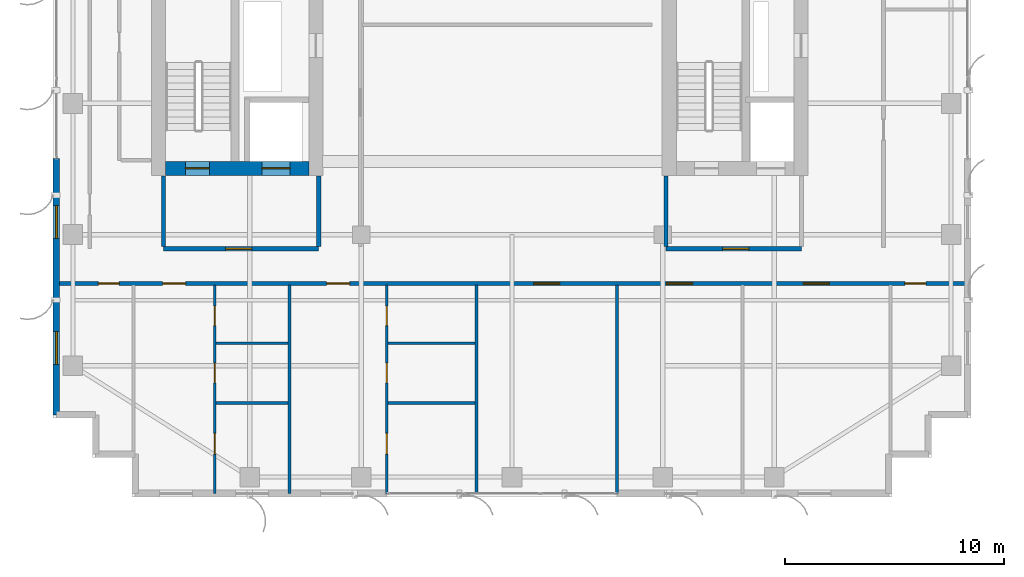
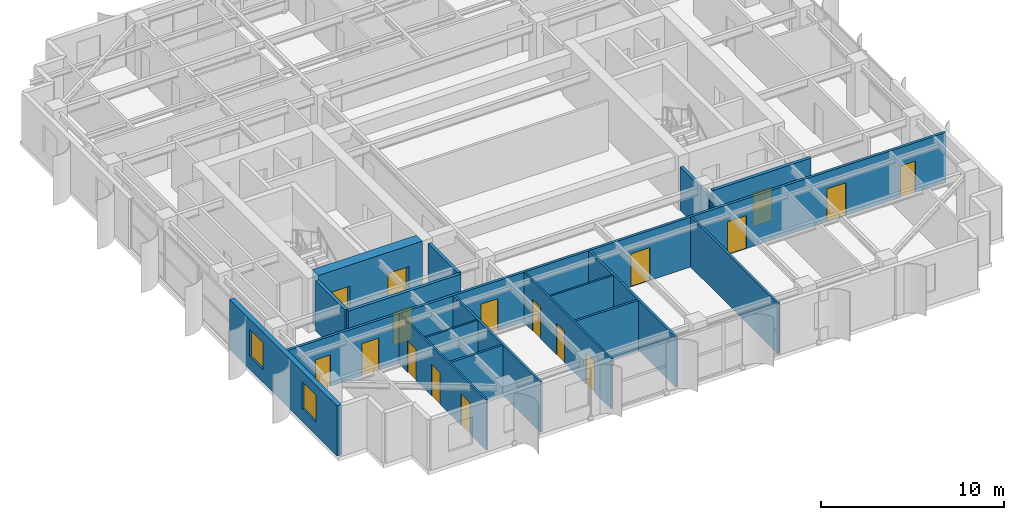
# One storey, part 16 of 22: 17 doors, 17 walls, 2 windows, 19 openings.
"""IFC4 building model written with IfcOpenShell, lengths in metres."""

from ifc_helpers import new_model, si_unit, direction, frame, frame_2d, origin, place, context, subcontext, project, spatial, rectangle, extrude, source, transform, mapped, material, layer, layer_set, type_object, element, fill, save


model = new_model("IFC4")

# Units and contexts
model_context = context("Model", 3, precision=1e-05, world=origin(), true_north=direction((0.0, 1.0)))
body_context = subcontext(model_context, "Body", "Model", "MODEL_VIEW")
ifc_project = project(units=[si_unit("LENGTHUNIT", "METRE"), si_unit("AREAUNIT", "SQUARE_METRE"), si_unit("VOLUMEUNIT", "CUBIC_METRE"), si_unit("PLANEANGLEUNIT", "RADIAN"), si_unit("MASSUNIT", "GRAM", prefix="KILO")], contexts=[model_context])

# Site, building, storey
site_placement = place(None, origin())
site = spatial("IfcSite", under=ifc_project, at=site_placement, CompositionType="ELEMENT")
building_placement = place(site_placement, origin())
building = spatial("IfcBuilding", under=site, at=building_placement, Name="Khoralis Quay Care Tower", CompositionType="ELEMENT")
storey_placement = place(building_placement, frame((0.0, 0.0, 170.10009765625)))
storey = spatial("IfcBuildingStorey", under=building, at=storey_placement, Name="L44", CompositionType="ELEMENT", Elevation=170.10009765625)

# Wall, opening, door
ifc_material_1 = material(Name="Gypsum plasterboard on acoustic metal stud")
ifc_layer_1 = layer(ifc_material_1, 0.199951171875)
ifc_layer_set_1 = layer_set([ifc_layer_1], Name="Gypsum plasterboard on acoustic metal stud")
wall_type_1 = type_object("IfcWallType", Name="WL-COMP-200", PredefinedType="PARTITIONING", material=ifc_layer_set_1)
wall_1_placement = place(storey_placement, frame((8.050048828125, 11.35009765625, 0.0), z_axis=(0.0, 0.0, 1.0), x_axis=(1.0, 0.0, 0.0)))
wall_1 = element("IfcWall", 1, at=wall_1_placement, inside=storey, type_object=wall_type_1, Name="L44 West Firefighting Lobby South Wall", PredefinedType="PARTITIONING", context=body_context, shape_type="SweptSolid", body=[
    extrude(rectangle(XDim=7.099853515625, YDim=0.199951171875, at=frame_2d((3.5498046875, 0.0))), origin(), (0.0, 0.0, 1.0), 3.33984375),
])
opening_1_placement = place(wall_1_placement, frame((2.846435546875, 0.0, 0.0)))
opening_1 = element("IfcOpeningElement", 2, at=opening_1_placement, cuts=wall_1, Name="Opening FD1", PredefinedType="OPENING", context=body_context, shape_type="SweptSolid", body=[
    extrude(rectangle(XDim=1.199951171875, YDim=2.199951171875, at=frame_2d((0.60009765625, 1.10009765625))), frame((0.0, 0.10986328125, 0.0), z_axis=(0.0, -1.0, 0.0), x_axis=(1.0, 0.0, 0.0)), (0.0, 0.0, 1.0), 0.219970703125),
])
ifc_material_2 = material(Name="Fire-rated painted steel", Category="steel")
door_type_1 = type_object("IfcDoorType", Name="DR-FFL-1200X2200", OperationType="NOTDEFINED", PredefinedType="DOOR", material=ifc_material_2)
shared_shape_1 = source(origin(), body_context, "Body", "SweptSolid", [
    extrude(rectangle(XDim=1.199951171875, YDim=2.199951171875, at=frame_2d((0.60009765625, 1.10009765625))), frame((0.0, 0.02490234375, 0.0), z_axis=(0.0, -1.0, 0.0), x_axis=(1.0, 0.0, 0.0)), (0.0, 0.0, 1.0), 0.050048828125),
])
door_1_placement = place(opening_1_placement, origin())
door_1 = element("IfcDoor", 3, at=door_1_placement, inside=storey, type_object=door_type_1, Name="L44 West Firefighting Lobby Fire Door", OperationType="SINGLE_SWING_RIGHT", OverallHeight=2.199951171875, OverallWidth=1.199951171875, PredefinedType="DOOR", context=body_context, shape_type="MappedRepresentation", body=[
    mapped(shared_shape_1, transform((0.0, 0.0, 0.0), scale=1.0)),
])
fill(opening_1, door_1)

# Walls
for number, where, z_axis, x_axis, name in (
    (4, (8.050048828125, 11.445068359375, 0.0), (0.0, 0.0, 1.0), (0.0, 1.0, 0.0), "L44 West Firefighting Lobby West Wall"),
    (5, (15.14990234375, 11.445068359375, 0.0), (0.0, 0.0, 1.0), (0.0, 1.0, 0.0), "L44 West Firefighting Lobby East Wall"),
):
    element("IfcWall", number, at=place(storey_placement, frame(where, z_axis=z_axis, x_axis=x_axis)), inside=storey, type_object=wall_type_1, Name=name, PredefinedType="PARTITIONING", context=body_context, shape_type="SweptSolid", body=[
        extrude(rectangle(XDim=3.23486328125, YDim=0.199951171875, at=frame_2d((1.617431640625, 0.0))), origin(), (0.0, 0.0, 1.0), 3.33984375),
    ])

# Wall, opening, door
wall_2_placement = place(storey_placement, frame((31.050048828125, 11.35009765625, 0.0), z_axis=(0.0, 0.0, 1.0), x_axis=(1.0, 0.0, 0.0)))
wall_2 = element("IfcWall", 6, at=wall_2_placement, inside=storey, type_object=wall_type_1, Name="L44 East Firefighting Lobby South Wall", PredefinedType="PARTITIONING", context=body_context, shape_type="SweptSolid", body=[
    extrude(rectangle(XDim=6.199951171875, YDim=0.199951171875, at=frame_2d((3.10009765625, 0.0))), origin(), (0.0, 0.0, 1.0), 3.33984375),
])
opening_2_placement = place(wall_2_placement, frame((2.585693359375, 0.0, 0.0)))
opening_2 = element("IfcOpeningElement", 7, at=opening_2_placement, cuts=wall_2, Name="Opening FD1", PredefinedType="OPENING", context=body_context, shape_type="SweptSolid", body=[
    extrude(rectangle(XDim=1.199951171875, YDim=2.199951171875, at=frame_2d((0.60009765625, 1.10009765625))), frame((0.0, 0.10986328125, 0.0), z_axis=(0.0, -1.0, 0.0), x_axis=(1.0, 0.0, 0.0)), (0.0, 0.0, 1.0), 0.219970703125),
])
door_2_placement = place(opening_2_placement, origin())
door_2 = element("IfcDoor", 8, at=door_2_placement, inside=storey, type_object=door_type_1, Name="L44 East Firefighting Lobby Fire Door", OperationType="SINGLE_SWING_LEFT", OverallHeight=2.199951171875, OverallWidth=1.199951171875, PredefinedType="DOOR", context=body_context, shape_type="MappedRepresentation", body=[
    mapped(shared_shape_1, transform((0.0, 0.0, 0.0), scale=1.0)),
])
fill(opening_2, door_2)

# Wall
wall_3_placement = place(storey_placement, frame((31.050048828125, 11.445068359375, 0.0), z_axis=(0.0, 0.0, 1.0), x_axis=(0.0, 1.0, 0.0)))
element("IfcWall", 9, at=wall_3_placement, inside=storey, type_object=wall_type_1, Name="L44 East Firefighting Lobby West Wall", PredefinedType="PARTITIONING", context=body_context, shape_type="SweptSolid", body=[
    extrude(rectangle(XDim=3.23486328125, YDim=0.199951171875, at=frame_2d((1.617431640625, 0.0))), origin(), (0.0, 0.0, 1.0), 2.876953125),
])

# Wall, openings, doors
ifc_material_3 = material(Name="Concrete C65/80", Category="concrete")
ifc_layer_2 = layer(ifc_material_3, 0.64990234375)
ifc_layer_set_2 = layer_set([ifc_layer_2], Name="Concrete C65/80")
wall_type_2 = type_object("IfcWallType", Name="WL-CORE-650", PredefinedType="SHEAR", material=ifc_layer_set_2)
wall_4_placement = place(storey_placement, frame((8.14990234375, 15.02490234375, 0.0), z_axis=(0.0, 0.0, 1.0), x_axis=(1.0, 0.0, 0.0)))
wall_4 = element("IfcWall", 10, at=wall_4_placement, inside=storey, type_object=wall_type_2, Name="L44 WCORE South Shear Wall", PredefinedType="SHEAR", context=body_context, shape_type="SweptSolid", body=[
    extrude(rectangle(XDim=6.550048828125, YDim=0.64990234375, at=frame_2d((3.27490234375, 0.0))), origin(), (0.0, 0.0, 1.0), 3.599853515625),
])
opening_3_placement = place(wall_4_placement, frame((0.89990234375, 0.0, 0.0)))
opening_3 = element("IfcOpeningElement", 11, at=opening_3_placement, cuts=wall_4, Name="Opening SD1", PredefinedType="OPENING", context=body_context, shape_type="SweptSolid", body=[
    extrude(rectangle(XDim=1.10009765625, YDim=2.199951171875, at=frame_2d((0.550048828125, 1.10009765625))), frame((0.0, 0.3349609375, 0.0), z_axis=(0.0, -1.0, 0.0), x_axis=(1.0, 0.0, 0.0)), (0.0, 0.0, 1.0), 0.669921875),
])
opening_4_placement = place(wall_4_placement, frame((4.39990234375, 0.0, 0.0)))
opening_4 = element("IfcOpeningElement", 12, at=opening_4_placement, cuts=wall_4, Name="Opening LD2", PredefinedType="OPENING", context=body_context, shape_type="SweptSolid", body=[
    extrude(rectangle(XDim=1.300048828125, YDim=2.199951171875, at=frame_2d((0.64990234375, 1.10009765625))), frame((0.0, 0.3349609375, 0.0), z_axis=(0.0, -1.0, 0.0), x_axis=(1.0, 0.0, 0.0)), (0.0, 0.0, 1.0), 0.669921875),
])
door_type_2 = type_object("IfcDoorType", Name="DR-STAIR-1100X2200", OperationType="NOTDEFINED", PredefinedType="DOOR", material=ifc_material_2)
shared_shape_2 = source(origin(), body_context, "Body", "SweptSolid", [
    extrude(rectangle(XDim=1.10009765625, YDim=2.199951171875, at=frame_2d((0.550048828125, 1.10009765625))), frame((0.0, 0.02490234375, 0.0), z_axis=(0.0, -1.0, 0.0), x_axis=(1.0, 0.0, 0.0)), (0.0, 0.0, 1.0), 0.050048828125),
])
door_3_placement = place(opening_3_placement, origin())
door_3 = element("IfcDoor", 13, at=door_3_placement, inside=storey, type_object=door_type_2, Name="L44 Stair ST-T1 Fire Door", OperationType="SINGLE_SWING_RIGHT", OverallHeight=2.199951171875, OverallWidth=1.10009765625, PredefinedType="DOOR", context=body_context, shape_type="MappedRepresentation", body=[
    mapped(shared_shape_2, transform((0.0, 0.0, 0.0), scale=1.0)),
])
fill(opening_3, door_3)
ifc_material_4 = material(Name="Brushed stainless steel", Category="steel")
door_type_3 = type_object("IfcDoorType", Name="DR-LIFT-1300X2200", OperationType="SLIDING_TO_RIGHT", PredefinedType="DOOR", material=ifc_material_4)
shared_shape_3 = source(origin(), body_context, "Body", "SweptSolid", [
    extrude(rectangle(XDim=1.300048828125, YDim=2.199951171875, at=frame_2d((0.64990234375, 1.10009765625))), frame((0.0, 0.02490234375, 0.0), z_axis=(0.0, -1.0, 0.0), x_axis=(1.0, 0.0, 0.0)), (0.0, 0.0, 1.0), 0.050048828125),
])
door_4_placement = place(opening_4_placement, origin())
door_4 = element("IfcDoor", 14, at=door_4_placement, inside=storey, type_object=door_type_3, Name="L44 Firefighting Lift FFL-1 Landing Door", OperationType="SLIDING_TO_RIGHT", OverallHeight=2.199951171875, OverallWidth=1.300048828125, PredefinedType="DOOR", context=body_context, shape_type="MappedRepresentation", body=[
    mapped(shared_shape_3, transform((0.0, 0.0, 0.0), scale=1.0)),
])
fill(opening_4, door_4)

ifc_layer_3 = layer(ifc_material_1, 0.1650390625)
ifc_layer_set_3 = layer_set([ifc_layer_3], Name="Gypsum plasterboard on acoustic metal stud")
wall_type_3 = type_object("IfcWallType", Name="WL-CORR-165", PredefinedType="PARTITIONING", material=ifc_layer_set_3)
wall_5_placement = place(storey_placement, frame((3.14501953125, 9.760009765625, 0.0), z_axis=(0.0, 0.0, 1.0), x_axis=(1.0, 0.0, 0.0)))
wall_5 = element("IfcWall", 15, at=wall_5_placement, inside=storey, type_object=wall_type_3, Name="L44 South Main Corridor Wall", PredefinedType="PARTITIONING", context=body_context, shape_type="SweptSolid", body=[
    extrude(rectangle(XDim=41.7099609375, YDim=0.1650390625, at=frame_2d((20.85498046875, 0.0))), origin(), (0.0, 0.0, 1.0), 3.33984375),
])
opening_5_placement = place(wall_5_placement, frame((4.866455078125, 0.0, 0.0)))
opening_5 = element("IfcOpeningElement", 16, at=opening_5_placement, cuts=wall_5, Name="Opening UD1", PredefinedType="OPENING", context=body_context, shape_type="SweptSolid", body=[
    extrude(rectangle(XDim=1.050048828125, YDim=2.14990234375, at=frame_2d((0.52490234375, 1.074951171875))), frame((0.0, 0.092529296875, 0.0), z_axis=(0.0, -1.0, 0.0), x_axis=(1.0, 0.0, 0.0)), (0.0, 0.0, 1.0), 0.18505859375),
])
opening_6_placement = place(wall_5_placement, frame((12.373046875, 0.0, 0.0)))
opening_6 = element("IfcOpeningElement", 17, at=opening_6_placement, cuts=wall_5, Name="Opening UD1", PredefinedType="OPENING", context=body_context, shape_type="SweptSolid", body=[
    extrude(rectangle(XDim=1.050048828125, YDim=2.14990234375, at=frame_2d((0.52490234375, 1.074951171875))), frame((0.0, 0.092529296875, 0.0), z_axis=(0.0, -1.0, 0.0), x_axis=(1.0, 0.0, 0.0)), (0.0, 0.0, 1.0), 0.18505859375),
])
opening_7_placement = place(wall_5_placement, frame((21.840087890625, 0.0, 0.0)))
opening_7 = element("IfcOpeningElement", 18, at=opening_7_placement, cuts=wall_5, Name="Opening FD1", PredefinedType="OPENING", context=body_context, shape_type="SweptSolid", body=[
    extrude(rectangle(XDim=1.199951171875, YDim=2.199951171875, at=frame_2d((0.60009765625, 1.10009765625))), frame((0.0, 0.092529296875, 0.0), z_axis=(0.0, -1.0, 0.0), x_axis=(1.0, 0.0, 0.0)), (0.0, 0.0, 1.0), 0.18505859375),
])
opening_8_placement = place(wall_5_placement, frame((27.925048828125, 0.0, 0.0)))
opening_8 = element("IfcOpeningElement", 19, at=opening_8_placement, cuts=wall_5, Name="Opening FD1", PredefinedType="OPENING", context=body_context, shape_type="SweptSolid", body=[
    extrude(rectangle(XDim=1.199951171875, YDim=2.199951171875, at=frame_2d((0.60009765625, 1.10009765625))), frame((0.0, 0.092529296875, 0.0), z_axis=(0.0, -1.0, 0.0), x_axis=(1.0, 0.0, 0.0)), (0.0, 0.0, 1.0), 0.18505859375),
])
opening_9_placement = place(wall_5_placement, frame((34.18505859375, 0.0, 0.0)))
opening_9 = element("IfcOpeningElement", 20, at=opening_9_placement, cuts=wall_5, Name="Opening FD1", PredefinedType="OPENING", context=body_context, shape_type="SweptSolid", body=[
    extrude(rectangle(XDim=1.199951171875, YDim=2.199951171875, at=frame_2d((0.60009765625, 1.10009765625))), frame((0.0, 0.092529296875, 0.0), z_axis=(0.0, -1.0, 0.0), x_axis=(1.0, 0.0, 0.0)), (0.0, 0.0, 1.0), 0.18505859375),
])
opening_10_placement = place(wall_5_placement, frame((1.919921875, 0.0, 0.0)))
opening_10 = element("IfcOpeningElement", 21, at=opening_10_placement, cuts=wall_5, Name="Opening ID1", PredefinedType="OPENING", context=body_context, shape_type="SweptSolid", body=[
    extrude(rectangle(XDim=0.949951171875, YDim=2.10009765625, at=frame_2d((0.47509765625, 1.050048828125))), frame((0.0, 0.092529296875, 0.0), z_axis=(0.0, -1.0, 0.0), x_axis=(1.0, 0.0, 0.0)), (0.0, 0.0, 1.0), 0.18505859375),
])
opening_11_placement = place(wall_5_placement, frame((38.840087890625, 0.0, 0.0)))
opening_11 = element("IfcOpeningElement", 22, at=opening_11_placement, cuts=wall_5, Name="Opening ID1", PredefinedType="OPENING", context=body_context, shape_type="SweptSolid", body=[
    extrude(rectangle(XDim=0.949951171875, YDim=2.10009765625, at=frame_2d((0.47509765625, 1.050048828125))), frame((0.0, 0.092529296875, 0.0), z_axis=(0.0, -1.0, 0.0), x_axis=(1.0, 0.0, 0.0)), (0.0, 0.0, 1.0), 0.18505859375),
])
door_5_placement = place(opening_7_placement, frame((1.199951171875, 0.0, 0.0), z_axis=(0.0, 0.0, 1.0), x_axis=(-1.0, 0.0, 0.0)))
door_5 = element("IfcDoor", 23, at=door_5_placement, inside=storey, type_object=door_type_1, Name="L44 Resident Communal Day Lounge Door", OperationType="DOUBLE_DOOR_SINGLE_SWING", OverallHeight=2.199951171875, OverallWidth=1.199951171875, PredefinedType="DOOR", context=body_context, shape_type="MappedRepresentation", body=[
    mapped(shared_shape_1, transform((0.0, 0.0, 0.0), scale=1.0)),
])
fill(opening_7, door_5)
door_6_placement = place(opening_8_placement, frame((1.199951171875, 0.0, 0.0), z_axis=(0.0, 0.0, 1.0), x_axis=(-1.0, 0.0, 0.0)))
door_6 = element("IfcDoor", 24, at=door_6_placement, inside=storey, type_object=door_type_1, Name="L44 Senior Wellness Pharmacy Shop Door", OperationType="DOUBLE_DOOR_SINGLE_SWING", OverallHeight=2.199951171875, OverallWidth=1.199951171875, PredefinedType="DOOR", context=body_context, shape_type="MappedRepresentation", body=[
    mapped(shared_shape_1, transform((0.0, 0.0, 0.0), scale=1.0)),
])
fill(opening_8, door_6)
door_7_placement = place(opening_9_placement, frame((1.199951171875, 0.0, 0.0), z_axis=(0.0, 0.0, 1.0), x_axis=(-1.0, 0.0, 0.0)))
door_7 = element("IfcDoor", 25, at=door_7_placement, inside=storey, type_object=door_type_1, Name="L44 Assisted Communal Dining Room Door", OperationType="DOUBLE_DOOR_SINGLE_SWING", OverallHeight=2.199951171875, OverallWidth=1.199951171875, PredefinedType="DOOR", context=body_context, shape_type="MappedRepresentation", body=[
    mapped(shared_shape_1, transform((0.0, 0.0, 0.0), scale=1.0)),
])
fill(opening_9, door_7)
ifc_material_5 = material(Name="Acoustic hardwood timber", Category="wood")
door_type_4 = type_object("IfcDoorType", Name="DR-ROOM-950X2100", OperationType="NOTDEFINED", PredefinedType="DOOR", material=ifc_material_5)
shared_shape_4 = source(origin(), body_context, "Body", "SweptSolid", [
    extrude(rectangle(XDim=0.949951171875, YDim=2.10009765625, at=frame_2d((0.47509765625, 1.050048828125))), frame((0.0, 0.02490234375, 0.0), z_axis=(0.0, -1.0, 0.0), x_axis=(1.0, 0.0, 0.0)), (0.0, 0.0, 1.0), 0.050048828125),
])
door_8_placement = place(opening_10_placement, frame((0.949951171875, 0.0, 0.0), z_axis=(0.0, 0.0, 1.0), x_axis=(-1.0, 0.0, 0.0)))
door_8 = element("IfcDoor", 26, at=door_8_placement, inside=storey, type_object=door_type_4, Name="L44 SW Corner Door", OperationType="SINGLE_SWING_LEFT", OverallHeight=2.10009765625, OverallWidth=0.949951171875, PredefinedType="DOOR", context=body_context, shape_type="MappedRepresentation", body=[
    mapped(shared_shape_4, transform((0.0, 0.0, 0.0), scale=1.0)),
])
fill(opening_10, door_8)
door_9_placement = place(opening_11_placement, frame((0.949951171875, 0.0, 0.0), z_axis=(0.0, 0.0, 1.0), x_axis=(-1.0, 0.0, 0.0)))
door_9 = element("IfcDoor", 27, at=door_9_placement, inside=storey, type_object=door_type_4, Name="L44 SE Corner Door", OperationType="SINGLE_SWING_RIGHT", OverallHeight=2.10009765625, OverallWidth=0.949951171875, PredefinedType="DOOR", context=body_context, shape_type="MappedRepresentation", body=[
    mapped(shared_shape_4, transform((0.0, 0.0, 0.0), scale=1.0)),
])
fill(opening_11, door_9)
door_type_5 = type_object("IfcDoorType", Name="DR-SUITE-1050X2150", OperationType="NOTDEFINED", PredefinedType="DOOR", material=ifc_material_5)
shared_shape_5 = source(origin(), body_context, "Body", "SweptSolid", [
    extrude(rectangle(XDim=1.050048828125, YDim=2.14990234375, at=frame_2d((0.52490234375, 1.074951171875))), frame((0.0, 0.02490234375, 0.0), z_axis=(0.0, -1.0, 0.0), x_axis=(1.0, 0.0, 0.0)), (0.0, 0.0, 1.0), 0.050048828125),
])
door_10_placement = place(opening_5_placement, frame((1.050048828125, 0.0, 0.0), z_axis=(0.0, 0.0, 1.0), x_axis=(-1.0, 0.0, 0.0)))
door_10 = element("IfcDoor", 28, at=door_10_placement, inside=storey, type_object=door_type_5, Name="L44 Apartment SB0 Entrance Door", OperationType="SINGLE_SWING_RIGHT", OverallHeight=2.14990234375, OverallWidth=1.050048828125, PredefinedType="DOOR", context=body_context, shape_type="MappedRepresentation", body=[
    mapped(shared_shape_5, transform((0.0, 0.0, 0.0), scale=1.0)),
])
fill(opening_5, door_10)
door_11_placement = place(opening_6_placement, frame((1.050048828125, 0.0, 0.0), z_axis=(0.0, 0.0, 1.0), x_axis=(-1.0, 0.0, 0.0)))
door_11 = element("IfcDoor", 29, at=door_11_placement, inside=storey, type_object=door_type_5, Name="L44 Apartment SB1 Entrance Door", OperationType="SINGLE_SWING_LEFT", OverallHeight=2.14990234375, OverallWidth=1.050048828125, PredefinedType="DOOR", context=body_context, shape_type="MappedRepresentation", body=[
    mapped(shared_shape_5, transform((0.0, 0.0, 0.0), scale=1.0)),
])
fill(opening_6, door_11)

# Wall, openings, windows
ifc_material_6 = material(Name="Precast concrete C45/55", Category="concrete")
ifc_layer_4 = layer(ifc_material_6, 0.300048828125)
ifc_layer_set_4 = layer_set([ifc_layer_4], Name="Precast concrete C45/55")
wall_type_4 = type_object("IfcWallType", Name="WL-EXT-REF-300", PredefinedType="SOLIDWALL", material=ifc_layer_set_4)
wall_6_placement = place(storey_placement, frame((3.14990234375, 15.47998046875, 0.0), z_axis=(0.0, 0.0, 1.0), x_axis=(0.0, -1.0, 0.0)))
wall_6 = element("IfcWall", 30, at=wall_6_placement, inside=storey, type_object=wall_type_4, Name="L44 External Facade Wall WL-EXT-L44-P1-E15B", PredefinedType="SOLIDWALL", context=body_context, shape_type="SweptSolid", body=[
    extrude(rectangle(XDim=11.72998046875, YDim=0.300048828125, at=frame_2d((5.864990234375, 0.0))), origin(), (0.0, 0.0, 1.0), 3.33984375),
])
opening_12_placement = place(wall_6_placement, frame((2.159912109375, 0.0, 0.85009765625)))
opening_12 = element("IfcOpeningElement", 31, at=opening_12_placement, cuts=wall_6, Name="Opening W3", PredefinedType="OPENING", context=body_context, shape_type="SweptSolid", body=[
    extrude(rectangle(XDim=1.5, YDim=1.800048828125, at=frame_2d((0.75, 0.89990234375))), frame((0.0, 0.16015625, 0.0), z_axis=(0.0, -1.0, 0.0), x_axis=(1.0, 0.0, 0.0)), (0.0, 0.0, 1.0), 0.320068359375),
])
opening_13_placement = place(wall_6_placement, frame((7.925048828125, 0.0, 0.85009765625)))
opening_13 = element("IfcOpeningElement", 32, at=opening_13_placement, cuts=wall_6, Name="Opening W3", PredefinedType="OPENING", context=body_context, shape_type="SweptSolid", body=[
    extrude(rectangle(XDim=1.5, YDim=1.800048828125, at=frame_2d((0.75, 0.89990234375))), frame((0.0, 0.16015625, 0.0), z_axis=(0.0, -1.0, 0.0), x_axis=(1.0, 0.0, 0.0)), (0.0, 0.0, 1.0), 0.320068359375),
])
ifc_material_7 = material(Name="Low-E solar-control double glazing", Category="glass")
window_type = type_object("IfcWindowType", Name="WN-CLIN-1500X1800", PartitioningType="SINGLE_PANEL", PredefinedType="WINDOW", material=ifc_material_7)
shared_shape_6 = source(origin(), body_context, "Body", "SweptSolid", [
    extrude(rectangle(XDim=1.5, YDim=1.800048828125, at=frame_2d((0.75, 0.89990234375))), frame((0.0, 0.030029296875, 0.0), z_axis=(0.0, -1.0, 0.0), x_axis=(1.0, 0.0, 0.0)), (0.0, 0.0, 1.0), 0.06005859375),
])
window_1_placement = place(opening_12_placement, origin())
window_1 = element("IfcWindow", 33, at=window_1_placement, inside=storey, type_object=window_type, Name="WN-L44-P1-E15B Facade Window 01", OverallHeight=1.800048828125, OverallWidth=1.5, PartitioningType="SINGLE_PANEL", PredefinedType="WINDOW", context=body_context, shape_type="MappedRepresentation", body=[
    mapped(shared_shape_6, transform((0.0, 0.0, 0.0), scale=1.0)),
])
fill(opening_12, window_1)
window_2_placement = place(opening_13_placement, origin())
window_2 = element("IfcWindow", 34, at=window_2_placement, inside=storey, type_object=window_type, Name="WN-L44-P1-E15B Facade Window 02", OverallHeight=1.800048828125, OverallWidth=1.5, PartitioningType="SINGLE_PANEL", PredefinedType="WINDOW", context=body_context, shape_type="MappedRepresentation", body=[
    mapped(shared_shape_6, transform((0.0, 0.0, 0.0), scale=1.0)),
])
fill(opening_13, window_2)

# Wall, openings, doors
ifc_layer_5 = layer(ifc_material_1, 0.114990234375)
ifc_layer_set_5 = layer_set([ifc_layer_5], Name="Gypsum plasterboard on acoustic metal stud")
wall_type_5 = type_object("IfcWallType", Name="WL-PART-115", PredefinedType="PARTITIONING", material=ifc_layer_set_5)
wall_7_placement = place(storey_placement, frame((10.39306640625, 0.14501953125, 0.0), z_axis=(0.0, 0.0, 1.0), x_axis=(0.0, 1.0, 0.0)))
wall_7 = element("IfcWall", 35, at=wall_7_placement, inside=storey, type_object=wall_type_5, Name="L44 Unit 0 Internal Wall", PredefinedType="PARTITIONING", context=body_context, shape_type="SweptSolid", body=[
    extrude(rectangle(XDim=9.53759765625, YDim=0.114990234375, at=frame_2d((4.768798828125, 0.0))), origin(), (0.0, 0.0, 1.0), 3.33984375),
])
opening_14_placement = place(wall_7_placement, frame((1.802001953125, 0.0, 0.0)))
opening_14 = element("IfcOpeningElement", 36, at=opening_14_placement, cuts=wall_7, Name="Opening ID1", PredefinedType="OPENING", context=body_context, shape_type="SweptSolid", body=[
    extrude(rectangle(XDim=0.949951171875, YDim=2.10009765625, at=frame_2d((0.47509765625, 1.050048828125))), frame((0.0, 0.0673828125, 0.0), z_axis=(0.0, -1.0, 0.0), x_axis=(1.0, 0.0, 0.0)), (0.0, 0.0, 1.0), 0.135009765625),
])
opening_15_placement = place(wall_7_placement, frame((5.0654296875, 0.0, 0.0)))
opening_15 = element("IfcOpeningElement", 37, at=opening_15_placement, cuts=wall_7, Name="Opening WD1", PredefinedType="OPENING", context=body_context, shape_type="SweptSolid", body=[
    extrude(rectangle(XDim=0.89990234375, YDim=2.10009765625, at=frame_2d((0.449951171875, 1.050048828125))), frame((0.0, 0.0673828125, 0.0), z_axis=(0.0, -1.0, 0.0), x_axis=(1.0, 0.0, 0.0)), (0.0, 0.0, 1.0), 0.135009765625),
])
opening_16_placement = place(wall_7_placement, frame((7.68359375, 0.0, 0.0)))
opening_16 = element("IfcOpeningElement", 38, at=opening_16_placement, cuts=wall_7, Name="Opening WD1", PredefinedType="OPENING", context=body_context, shape_type="SweptSolid", body=[
    extrude(rectangle(XDim=0.89990234375, YDim=2.10009765625, at=frame_2d((0.449951171875, 1.050048828125))), frame((0.0, 0.0673828125, 0.0), z_axis=(0.0, -1.0, 0.0), x_axis=(1.0, 0.0, 0.0)), (0.0, 0.0, 1.0), 0.135009765625),
])
door_type_6 = type_object("IfcDoorType", Name="DR-BATH-900X2100", OperationType="NOTDEFINED", PredefinedType="DOOR", material=ifc_material_5)
shared_shape_7 = source(origin(), body_context, "Body", "SweptSolid", [
    extrude(rectangle(XDim=0.89990234375, YDim=2.10009765625, at=frame_2d((0.449951171875, 1.050048828125))), frame((0.0, 0.02490234375, 0.0), z_axis=(0.0, -1.0, 0.0), x_axis=(1.0, 0.0, 0.0)), (0.0, 0.0, 1.0), 0.050048828125),
])
door_12_placement = place(opening_15_placement, frame((0.89990234375, 0.0, 0.0), z_axis=(0.0, 0.0, 1.0), x_axis=(-1.0, 0.0, 0.0)))
door_12 = element("IfcDoor", 39, at=door_12_placement, inside=storey, type_object=door_type_6, Name="L44 Apartment SB0 KIT Door", OperationType="SINGLE_SWING_RIGHT", OverallHeight=2.10009765625, OverallWidth=0.89990234375, PredefinedType="DOOR", context=body_context, shape_type="MappedRepresentation", body=[
    mapped(shared_shape_7, transform((0.0, 0.0, 0.0), scale=1.0)),
])
fill(opening_15, door_12)
door_13_placement = place(opening_16_placement, frame((0.89990234375, 0.0, 0.0), z_axis=(0.0, 0.0, 1.0), x_axis=(-1.0, 0.0, 0.0)))
door_13 = element("IfcDoor", 40, at=door_13_placement, inside=storey, type_object=door_type_6, Name="L44 Apartment SB0 BTH Door", OperationType="SINGLE_SWING_LEFT", OverallHeight=2.10009765625, OverallWidth=0.89990234375, PredefinedType="DOOR", context=body_context, shape_type="MappedRepresentation", body=[
    mapped(shared_shape_7, transform((0.0, 0.0, 0.0), scale=1.0)),
])
fill(opening_16, door_13)
door_14_placement = place(opening_14_placement, frame((0.949951171875, 0.0, 0.0), z_axis=(0.0, 0.0, 1.0), x_axis=(-1.0, 0.0, 0.0)))
door_14 = element("IfcDoor", 41, at=door_14_placement, inside=storey, type_object=door_type_4, Name="L44 Apartment SB0 BED Door", OperationType="SINGLE_SWING_LEFT", OverallHeight=2.10009765625, OverallWidth=0.949951171875, PredefinedType="DOOR", context=body_context, shape_type="MappedRepresentation", body=[
    mapped(shared_shape_4, transform((0.0, 0.0, 0.0), scale=1.0)),
])
fill(opening_14, door_14)

# Wall
wall_8_placement = place(storey_placement, frame((10.445556640625, 7.027099609375, 0.0), z_axis=(0.0, 0.0, 1.0), x_axis=(1.0, 0.0, 0.0)))
element("IfcWall", 42, at=wall_8_placement, inside=storey, type_object=wall_type_5, Name="L44 Unit 0 Kitchen Wall", PredefinedType="PARTITIONING", context=body_context, shape_type="SweptSolid", body=[
    extrude(rectangle(XDim=3.309326171875, YDim=0.114990234375, at=frame_2d((1.65478515625, 0.0))), origin(), (0.0, 0.0, 1.0), 3.33984375),
])

# Wall, openings, doors
wall_9_placement = place(storey_placement, frame((18.26611328125, 0.14501953125, 0.0), z_axis=(0.0, 0.0, 1.0), x_axis=(0.0, 1.0, 0.0)))
wall_9 = element("IfcWall", 43, at=wall_9_placement, inside=storey, type_object=wall_type_5, Name="L44 Unit 1 Internal Wall", PredefinedType="PARTITIONING", context=body_context, shape_type="SweptSolid", body=[
    extrude(rectangle(XDim=9.53759765625, YDim=0.114990234375, at=frame_2d((4.768798828125, 0.0))), origin(), (0.0, 0.0, 1.0), 3.33984375),
])
opening_17_placement = place(wall_9_placement, frame((1.802001953125, 0.0, 0.0)))
opening_17 = element("IfcOpeningElement", 44, at=opening_17_placement, cuts=wall_9, Name="Opening ID1", PredefinedType="OPENING", context=body_context, shape_type="SweptSolid", body=[
    extrude(rectangle(XDim=0.949951171875, YDim=2.10009765625, at=frame_2d((0.47509765625, 1.050048828125))), frame((0.0, 0.0673828125, 0.0), z_axis=(0.0, -1.0, 0.0), x_axis=(1.0, 0.0, 0.0)), (0.0, 0.0, 1.0), 0.135009765625),
])
opening_18_placement = place(wall_9_placement, frame((5.0654296875, 0.0, 0.0)))
opening_18 = element("IfcOpeningElement", 45, at=opening_18_placement, cuts=wall_9, Name="Opening WD1", PredefinedType="OPENING", context=body_context, shape_type="SweptSolid", body=[
    extrude(rectangle(XDim=0.89990234375, YDim=2.10009765625, at=frame_2d((0.449951171875, 1.050048828125))), frame((0.0, 0.0673828125, 0.0), z_axis=(0.0, -1.0, 0.0), x_axis=(1.0, 0.0, 0.0)), (0.0, 0.0, 1.0), 0.135009765625),
])
opening_19_placement = place(wall_9_placement, frame((7.68359375, 0.0, 0.0)))
opening_19 = element("IfcOpeningElement", 46, at=opening_19_placement, cuts=wall_9, Name="Opening WD1", PredefinedType="OPENING", context=body_context, shape_type="SweptSolid", body=[
    extrude(rectangle(XDim=0.89990234375, YDim=2.10009765625, at=frame_2d((0.449951171875, 1.050048828125))), frame((0.0, 0.0673828125, 0.0), z_axis=(0.0, -1.0, 0.0), x_axis=(1.0, 0.0, 0.0)), (0.0, 0.0, 1.0), 0.135009765625),
])
door_15_placement = place(opening_18_placement, frame((0.89990234375, 0.0, 0.0), z_axis=(0.0, 0.0, 1.0), x_axis=(-1.0, 0.0, 0.0)))
door_15 = element("IfcDoor", 47, at=door_15_placement, inside=storey, type_object=door_type_6, Name="L44 Apartment SB1 KIT Door", OperationType="SINGLE_SWING_LEFT", OverallHeight=2.10009765625, OverallWidth=0.89990234375, PredefinedType="DOOR", context=body_context, shape_type="MappedRepresentation", body=[
    mapped(shared_shape_7, transform((0.0, 0.0, 0.0), scale=1.0)),
])
fill(opening_18, door_15)
door_16_placement = place(opening_19_placement, frame((0.89990234375, 0.0, 0.0), z_axis=(0.0, 0.0, 1.0), x_axis=(-1.0, 0.0, 0.0)))
door_16 = element("IfcDoor", 48, at=door_16_placement, inside=storey, type_object=door_type_6, Name="L44 Apartment SB1 BTH Door", OperationType="SINGLE_SWING_RIGHT", OverallHeight=2.10009765625, OverallWidth=0.89990234375, PredefinedType="DOOR", context=body_context, shape_type="MappedRepresentation", body=[
    mapped(shared_shape_7, transform((0.0, 0.0, 0.0), scale=1.0)),
])
fill(opening_19, door_16)
door_17_placement = place(opening_17_placement, frame((0.949951171875, 0.0, 0.0), z_axis=(0.0, 0.0, 1.0), x_axis=(-1.0, 0.0, 0.0)))
door_17 = element("IfcDoor", 49, at=door_17_placement, inside=storey, type_object=door_type_4, Name="L44 Apartment SB1 BED Door", OperationType="SINGLE_SWING_RIGHT", OverallHeight=2.10009765625, OverallWidth=0.949951171875, PredefinedType="DOOR", context=body_context, shape_type="MappedRepresentation", body=[
    mapped(shared_shape_4, transform((0.0, 0.0, 0.0), scale=1.0)),
])
fill(opening_17, door_17)

# Walls
wall_10_placement = place(storey_placement, frame((18.318603515625, 7.027099609375, 0.0), z_axis=(0.0, 0.0, 1.0), x_axis=(1.0, 0.0, 0.0)))
element("IfcWall", 50, at=wall_10_placement, inside=storey, type_object=wall_type_5, Name="L44 Unit 1 Kitchen Wall", PredefinedType="PARTITIONING", context=body_context, shape_type="SweptSolid", body=[
    extrude(rectangle(XDim=3.986328125, YDim=0.114990234375, at=frame_2d((1.9931640625, 0.0))), origin(), (0.0, 0.0, 1.0), 3.33984375),
])
ifc_material_8 = material(Name="Moisture-resistant gypsum and ceramic tile")
ifc_layer_6 = layer(ifc_material_8, 0.280029296875)
ifc_layer_set_6 = layer_set([ifc_layer_6], Name="Moisture-resistant gypsum and ceramic tile")
wall_type_6 = type_object("IfcWallType", Name="WL-PLUMB-280", PredefinedType="PLUMBINGWALL", material=ifc_layer_set_6)
wall_11_placement = place(storey_placement, frame((10.445556640625, 4.2939453125, 0.0), z_axis=(0.0, 0.0, 1.0), x_axis=(1.0, 0.0, 0.0)))
element("IfcWall", 51, at=wall_11_placement, inside=storey, type_object=wall_type_6, Name="L44 Unit 0 Wet Wall", PredefinedType="PLUMBINGWALL", context=body_context, shape_type="SweptSolid", body=[
    extrude(rectangle(XDim=3.309326171875, YDim=0.139892578125, at=frame_2d((1.65478515625, 0.0))), origin(), (0.0, 0.0, 1.0), 3.33984375),
])
wall_12_placement = place(storey_placement, frame((18.318603515625, 4.2939453125, 0.0), z_axis=(0.0, 0.0, 1.0), x_axis=(1.0, 0.0, 0.0)))
element("IfcWall", 52, at=wall_12_placement, inside=storey, type_object=wall_type_6, Name="L44 Unit 1 Wet Wall", PredefinedType="PLUMBINGWALL", context=body_context, shape_type="SweptSolid", body=[
    extrude(rectangle(XDim=3.986328125, YDim=0.139892578125, at=frame_2d((1.9931640625, 0.0))), origin(), (0.0, 0.0, 1.0), 3.33984375),
])
ifc_layer_7 = layer(ifc_material_1, 0.139892578125)
ifc_layer_set_7 = layer_set([ifc_layer_7], Name="Gypsum plasterboard on acoustic metal stud")
wall_type_7 = type_object("IfcWallType", Name="WL-UNIT-140", PredefinedType="PARTITIONING", material=ifc_layer_set_7)
for number, where, z_axis, x_axis, name in (
    (53, (13.820068359375, 0.14501953125, 0.0), (0.0, 0.0, 1.0), (0.0, 1.0, 0.0), "L44 SB Demising Wall 1"),
    (54, (22.3701171875, 0.14501953125, 0.0), (0.0, 0.0, 1.0), (0.0, 1.0, 0.0), "L44 SB Demising Wall 2"),
    (55, (28.800048828125, 0.14501953125, 0.0), (0.0, 0.0, 1.0), (0.0, 1.0, 0.0), "L44 SB Demising Wall 3"),
):
    element("IfcWall", number, at=place(storey_placement, frame(where, z_axis=z_axis, x_axis=x_axis)), inside=storey, type_object=wall_type_7, Name=name, PredefinedType="PARTITIONING", context=body_context, shape_type="SweptSolid", body=[
        extrude(rectangle(XDim=9.53759765625, YDim=0.139892578125, at=frame_2d((4.768798828125, 0.0))), origin(), (0.0, 0.0, 1.0), 3.33984375),
    ])

save(model, "model.ifc")
